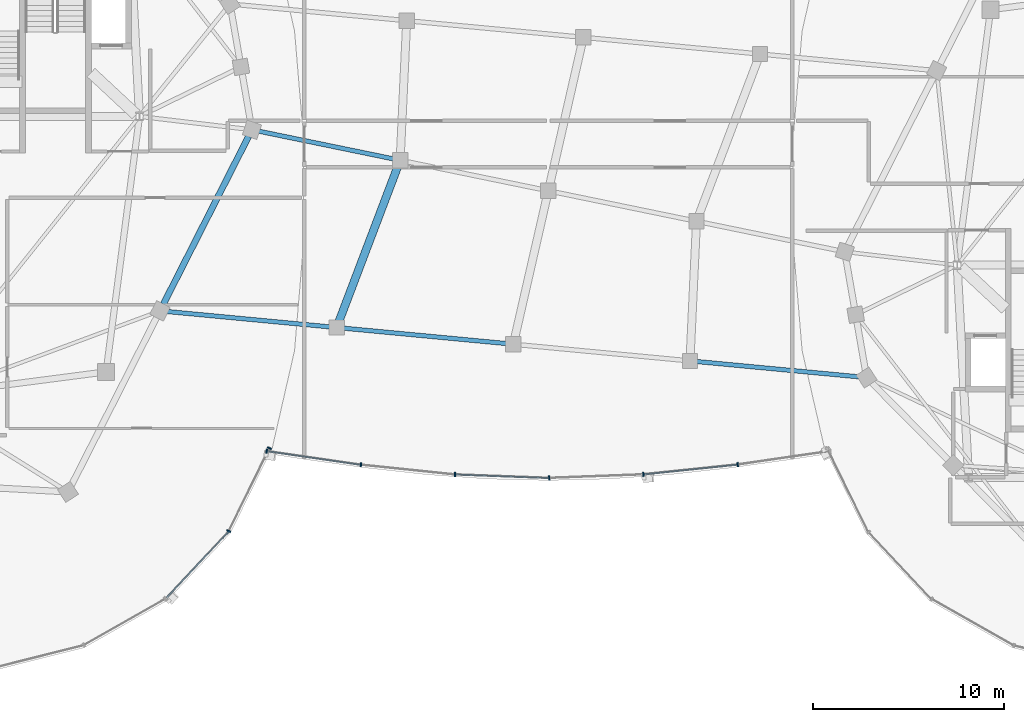
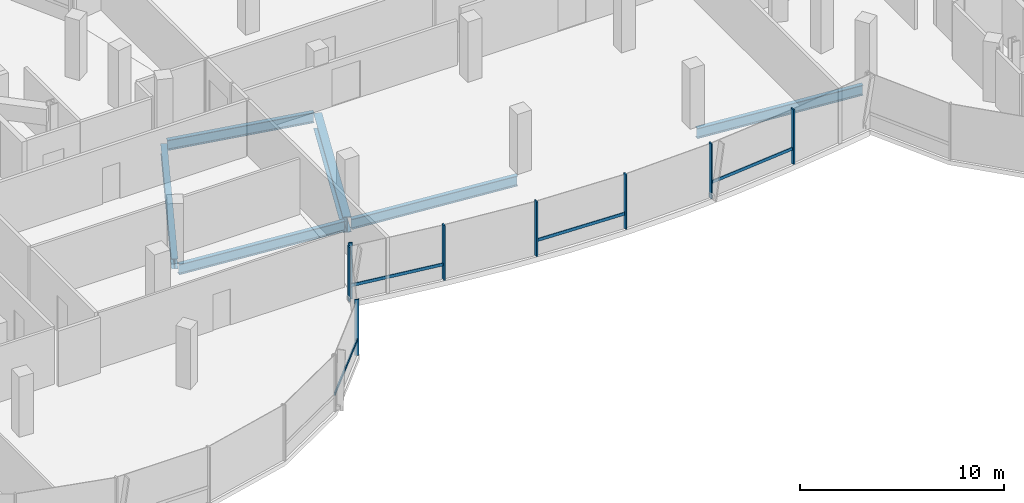
# One storey, part 4 of 25: 12 members, 6 beams, 2 elements without a shape of their own.
"""IFC4 building model written with IfcOpenShell, lengths in metres."""

from ifc_helpers import new_model, si_unit, direction, frame, origin, origin_2d, place, context, subcontext, project, spatial, rectangle, i_section, extrude, material, material_profile, profile_set, type_object, element, aggregate, save


model = new_model("IFC4")

# Units and contexts
model_context = context("Model", 3, precision=1e-05, world=origin(), true_north=direction((0.0, 1.0)))
body_context = subcontext(model_context, "Body", "Model", "MODEL_VIEW")
ifc_project = project(units=[si_unit("LENGTHUNIT", "METRE"), si_unit("AREAUNIT", "SQUARE_METRE"), si_unit("VOLUMEUNIT", "CUBIC_METRE"), si_unit("PLANEANGLEUNIT", "RADIAN"), si_unit("MASSUNIT", "GRAM", prefix="KILO"), si_unit("THERMODYNAMICTEMPERATUREUNIT", "KELVIN"), si_unit("POWERUNIT", "WATT")], contexts=[model_context])

# Site, building, storey
site_placement = place(None, origin())
site = spatial("IfcSite", under=ifc_project, at=site_placement, CompositionType="ELEMENT")
building_placement = place(site_placement, origin())
building = spatial("IfcBuilding", under=site, at=building_placement, Name="Cundina Bronze Exchange", CompositionType="ELEMENT")
storey_placement = place(building_placement, frame((0.0, 0.0, 250.39990234375)))
storey = spatial("IfcBuildingStorey", under=building, at=storey_placement, Name="L66", CompositionType="ELEMENT", Elevation=250.39990234375)

# Beams
ifc_material_1 = material(Name="Steel ASTM A992 Grade 50", Category="steel")
ifc_material_profile_1 = material_profile(ifc_material_1, i_section(OverallWidth=0.22998046875, OverallDepth=0.616943359375, WebThickness=0.01318359375, FlangeThickness=0.022216796875, FilletRadius=0.013916015625, at=origin_2d()), Name="W24X94", Category="steel")
ifc_profile_set_1 = profile_set([ifc_material_profile_1], Name="Steel ASTM A992 Grade 50")
beam_type_1 = type_object("IfcBeamType", Name="BM-FLR-W24B", PredefinedType="BEAM", material=ifc_profile_set_1)
for number, where, z_axis, x_axis, name in (
    (1, (-20.19580078125, -6.31689453125, -0.62841796875), (0.995572136276, -0.094000646124, 0.0), (0.094000646124, 0.995572136276, 0.0), "L66 Sky-Gate Longitudinal Girder Y1-P1"),
    (2, (-10.927001953125, -7.19189453125, -0.62841796875), (0.995572136276, -0.094000646124, 0.0), (0.094000646124, 0.995572136276, 0.0), "L66 Sky-Gate Longitudinal Girder Y1-P2"),
):
    element("IfcBeam", number, at=place(storey_placement, frame(where, z_axis=z_axis, x_axis=x_axis)), inside=storey, type_object=beam_type_1, Name=name, PredefinedType="BEAM", context=body_context, shape_type="SweptSolid", body=[
        extrude(i_section(OverallWidth=0.22998046875, OverallDepth=0.616943359375, WebThickness=0.01318359375, FlangeThickness=0.022216796875, FilletRadius=0.013916015625, at=origin_2d()), origin(), (0.0, 0.0, 1.0), 8.949951171875),
    ])
beam_1_placement = place(storey_placement, frame((7.610595703125, -8.94189453125, -0.62841796875), z_axis=(0.995571895232, -0.094003199007, 0.0), x_axis=(0.094003199007, 0.995571895232, 0.0)))
element("IfcBeam", 3, at=beam_1_placement, inside=storey, type_object=beam_type_1, Name="L66 Sky-Gate Longitudinal Girder Y1-P4", PredefinedType="BEAM", context=body_context, shape_type="SweptSolid", body=[
    extrude(i_section(OverallWidth=0.22998046875, OverallDepth=0.616943359375, WebThickness=0.01318359375, FlangeThickness=0.022216796875, FilletRadius=0.013916015625, at=origin_2d()), origin(), (0.0, 0.0, 1.0), 8.94970703125),
])
beam_2_placement = place(storey_placement, frame((-15.373779296875, 3.163818359375, -0.62841796875), z_axis=(0.979471264571, -0.20158383338, 0.0), x_axis=(0.20158383338, 0.979471264571, 0.0)))
element("IfcBeam", 4, at=beam_2_placement, inside=storey, type_object=beam_type_1, Name="L66 Sky-Gate Longitudinal Girder Y2-P1", PredefinedType="BEAM", context=body_context, shape_type="SweptSolid", body=[
    extrude(i_section(OverallWidth=0.22998046875, OverallDepth=0.616943359375, WebThickness=0.01318359375, FlangeThickness=0.022216796875, FilletRadius=0.013916015625, at=origin_2d()), origin(), (0.0, 0.0, 1.0), 7.577880859375),
])
ifc_material_profile_2 = material_profile(ifc_material_1, i_section(OverallWidth=0.324951171875, OverallDepth=0.615966796875, WebThickness=0.013916015625, FlangeThickness=0.021484375, FilletRadius=0.01611328125, at=origin_2d()), Name="W24X117", Category="steel")
ifc_profile_set_2 = profile_set([ifc_material_profile_2], Name="Steel ASTM A992 Grade 50")
beam_type_2 = type_object("IfcBeamType", Name="BM-RING-W24", PredefinedType="USERDEFINED", material=ifc_profile_set_2)
beam_3_placement = place(storey_placement, frame((-20.19921875, -5.9541015625, -0.56787109375), z_axis=(0.452839263805, 0.891592171991, 0.0), x_axis=(-0.891592171991, 0.452839263805, 0.0)))
element("IfcBeam", 5, at=beam_3_placement, inside=storey, type_object=beam_type_2, Name="L66 W Perimeter Ring Girder 13", ObjectType="GIRDER", PredefinedType="USERDEFINED", context=body_context, shape_type="SweptSolid", body=[
    extrude(i_section(OverallWidth=0.324951171875, OverallDepth=0.615966796875, WebThickness=0.013916015625, FlangeThickness=0.021484375, FilletRadius=0.01611328125, at=origin_2d()), origin(), (0.0, 0.0, 1.0), 9.879150390625),
])
ifc_material_profile_3 = material_profile(ifc_material_1, i_section(OverallWidth=0.41796875, OverallDepth=0.927001953125, WebThickness=0.019287109375, FlangeThickness=0.031982421875, FilletRadius=0.02392578125, at=origin_2d()), Name="W36X231", Category="steel")
ifc_profile_set_3 = profile_set([ifc_material_profile_3], Name="Steel ASTM A992 Grade 50")
beam_type_3 = type_object("IfcBeamType", Name="BM-WRN-W36B", PredefinedType="USERDEFINED", material=ifc_profile_set_3)
beam_4_placement = place(storey_placement, frame((-11.042236328125, -7.006591796875, -0.783447265625), z_axis=(0.354911890514, 0.934899753969, 0.0), x_axis=(-0.934899753969, 0.354911890514, 0.0)))
element("IfcBeam", 6, at=beam_4_placement, inside=storey, type_object=beam_type_3, Name="L66 Sky-Gate Transverse Girder X1-S", ObjectType="GIRDER", PredefinedType="USERDEFINED", context=body_context, shape_type="SweptSolid", body=[
    extrude(i_section(OverallWidth=0.41796875, OverallDepth=0.927001953125, WebThickness=0.019287109375, FlangeThickness=0.031982421875, FilletRadius=0.02392578125, at=origin_2d()), origin(), (0.0, 0.0, 1.0), 9.02587890625),
])

# Curtain wall, members
ifc_material_2 = material(Name="Anodised Bronze Aluminium 6063-T6", Category="aluminium")
curtain_wall_type = type_object("IfcCurtainWallType", Name="CWS-SKG-BRG", PredefinedType="NOTDEFINED", material=ifc_material_2)
curtain_wall_1_placement = place(storey_placement, origin())
curtain_wall_1 = element("IfcCurtainWall", 7, at=curtain_wall_1_placement, inside=storey, type_object=curtain_wall_type, Name="L66 CW-06 Curtain Wall Run CWR-L66-W4", PredefinedType="NOTDEFINED")
ifc_material_profile_4 = material_profile(ifc_material_2, rectangle(XDim=0.074951171875, YDim=0.219970703125, at=origin_2d()), Name="AL75X220", Category="aluminium")
ifc_profile_set_4 = profile_set([ifc_material_profile_4], Name="Anodised Bronze Aluminium 6063-T6")
member_type_1 = type_object("IfcMemberType", Name="CWM-MUL-220", PredefinedType="MULLION", material=ifc_profile_set_4)
member_1_placement = place(storey_placement, frame((-16.7666015625, -17.856689453125, 0.0), z_axis=(0.0, 0.0, 1.0), x_axis=(0.440566004113, 0.897720221461, 0.0)))
member_1 = element("IfcMember", 8, at=member_1_placement, type_object=member_type_1, Name="CW-06 Mullion 2", PredefinedType="MULLION", context=body_context, shape_type="SweptSolid", body=[
    extrude(rectangle(XDim=0.074951171875, YDim=0.219970703125, at=origin_2d()), origin(), (0.0, 0.0, 1.0), 3.340087890625),
])
member_2_placement = place(storey_placement, frame((-14.630859375, -13.50390625, 0.0), z_axis=(0.0, 0.0, 1.0), x_axis=(0.440566004113, 0.897720221461, 0.0)))
member_2 = element("IfcMember", 9, at=member_2_placement, type_object=member_type_1, Name="CW-06 End Mullion", PredefinedType="MULLION", context=body_context, shape_type="SweptSolid", body=[
    extrude(rectangle(XDim=0.074951171875, YDim=0.219970703125, at=origin_2d()), origin(), (0.0, 0.0, 1.0), 3.340087890625),
])

curtain_wall_2_placement = place(storey_placement, origin())
curtain_wall_2 = element("IfcCurtainWall", 10, at=curtain_wall_2_placement, inside=storey, type_object=curtain_wall_type, Name="L66 CW-06 Curtain Wall Run CWR-L66-BRGS", PredefinedType="NOTDEFINED")
member_3_placement = place(storey_placement, frame((-14.779296875, -13.658935546875, 0.0), z_axis=(0.0, 0.0, 1.0), x_axis=(0.989525789069, -0.144356201001, 0.0)))
member_3 = element("IfcMember", 11, at=member_3_placement, type_object=member_type_1, Name="CW-06 Mullion 1", PredefinedType="MULLION", context=body_context, shape_type="SweptSolid", body=[
    extrude(rectangle(XDim=0.074951171875, YDim=0.219970703125, at=origin_2d()), origin(), (0.0, 0.0, 1.0), 3.280029296875),
])
member_4_placement = place(storey_placement, frame((-9.83447265625, -14.378173828125, 0.0), z_axis=(0.0, 0.0, 1.0), x_axis=(0.994666875153, -0.103139747302, 0.0)))
member_4 = element("IfcMember", 12, at=member_4_placement, type_object=member_type_1, Name="CW-06 Mullion 2", PredefinedType="MULLION", context=body_context, shape_type="SweptSolid", body=[
    extrude(rectangle(XDim=0.074951171875, YDim=0.219970703125, at=origin_2d()), origin(), (0.0, 0.0, 1.0), 3.280029296875),
])
member_5_placement = place(storey_placement, frame((-4.892578125, -14.88720703125, 0.0), z_axis=(0.0, 0.0, 1.0), x_axis=(0.999302568116, -0.037341362551, 0.0)))
member_5 = element("IfcMember", 13, at=member_5_placement, type_object=member_type_1, Name="CW-06 Mullion 3", PredefinedType="MULLION", context=body_context, shape_type="SweptSolid", body=[
    extrude(rectangle(XDim=0.074951171875, YDim=0.219970703125, at=origin_2d()), origin(), (0.0, 0.0, 1.0), 3.280029296875),
])
member_6_placement = place(storey_placement, frame((0.047607421875, -15.068115234375, 0.0), z_axis=(0.0, 0.0, 1.0), x_axis=(0.999302568116, 0.037341362551, 0.0)))
member_6 = element("IfcMember", 14, at=member_6_placement, type_object=member_type_1, Name="CW-06 Mullion 4", PredefinedType="MULLION", context=body_context, shape_type="SweptSolid", body=[
    extrude(rectangle(XDim=0.074951171875, YDim=0.219970703125, at=origin_2d()), origin(), (0.0, 0.0, 1.0), 3.280029296875),
])
member_7_placement = place(storey_placement, frame((4.98876953125, -14.88037109375, 0.0), z_axis=(0.0, 0.0, 1.0), x_axis=(0.994666875153, 0.103139747302, 0.0)))
member_7 = element("IfcMember", 15, at=member_7_placement, type_object=member_type_1, Name="CW-06 Mullion 5", PredefinedType="MULLION", context=body_context, shape_type="SweptSolid", body=[
    extrude(rectangle(XDim=0.074951171875, YDim=0.219970703125, at=origin_2d()), origin(), (0.0, 0.0, 1.0), 3.280029296875),
])
member_8_placement = place(storey_placement, frame((9.93310546875, -14.36572265625, 0.0), z_axis=(0.0, 0.0, 1.0), x_axis=(0.989525789069, 0.144356201001, 0.0)))
member_8 = element("IfcMember", 16, at=member_8_placement, type_object=member_type_1, Name="CW-06 Mullion 6", PredefinedType="MULLION", context=body_context, shape_type="SweptSolid", body=[
    extrude(rectangle(XDim=0.074951171875, YDim=0.219970703125, at=origin_2d()), origin(), (0.0, 0.0, 1.0), 3.280029296875),
])

# Member
ifc_material_profile_5 = material_profile(ifc_material_2, rectangle(XDim=0.070068359375, YDim=0.179931640625, at=origin_2d()), Name="AL70X180", Category="aluminium")
ifc_profile_set_5 = profile_set([ifc_material_profile_5], Name="Anodised Bronze Aluminium 6063-T6")
member_type_2 = type_object("IfcMemberType", Name="CWM-TRN-180", PredefinedType="USERDEFINED", material=ifc_profile_set_5)
member_9_placement = place(storey_placement, frame((-20.031494140625, -21.349609375, 0.920166015625), z_axis=(0.684328474899, 0.729173873944, 0.0), x_axis=(-0.729173873944, 0.684328474899, 0.0)))
member_9 = element("IfcMember", 17, at=member_9_placement, type_object=member_type_2, Name="CW-06 Spandrel Transom 1", ObjectType="TRANSOM", PredefinedType="USERDEFINED", context=body_context, shape_type="SweptSolid", body=[
    extrude(rectangle(XDim=0.070068359375, YDim=0.179931640625, at=origin_2d()), origin(), (0.0, 0.0, 1.0), 4.758056640625),
])

aggregate(curtain_wall_1, [member_9, member_1, member_2])

member_10_placement = place(storey_placement, frame((-14.738525390625, -13.664794921875, 0.91845703125), z_axis=(0.989531497997, -0.144317062302, 0.0), x_axis=(0.144317062302, 0.989531497997, 0.0)))
member_10 = element("IfcMember", 18, at=member_10_placement, type_object=member_type_2, Name="CW-06 Spandrel Transom 1", ObjectType="TRANSOM", PredefinedType="USERDEFINED", context=body_context, shape_type="SweptSolid", body=[
    extrude(rectangle(XDim=0.070068359375, YDim=0.179931640625, at=origin_2d()), origin(), (0.0, 0.0, 1.0), 4.8974609375),
])

member_11_placement = place(storey_placement, frame((-4.8515625, -14.888671875, 0.91845703125), z_axis=(0.999303683555, -0.037311500026, 0.0), x_axis=(0.037311500026, 0.999303683555, 0.0)))
member_11 = element("IfcMember", 19, at=member_11_placement, type_object=member_type_2, Name="CW-06 Spandrel Transom 3", ObjectType="TRANSOM", PredefinedType="USERDEFINED", context=body_context, shape_type="SweptSolid", body=[
    extrude(rectangle(XDim=0.070068359375, YDim=0.179931640625, at=origin_2d()), origin(), (0.0, 0.0, 1.0), 4.8486328125),
])

member_12_placement = place(storey_placement, frame((5.02978515625, -14.8759765625, 0.91845703125), z_axis=(0.994672497027, 0.103085516243, 0.0), x_axis=(-0.103085516243, 0.994672497027, 0.0)))
member_12 = element("IfcMember", 20, at=member_12_placement, type_object=member_type_2, Name="CW-06 Spandrel Transom 5", ObjectType="TRANSOM", PredefinedType="USERDEFINED", context=body_context, shape_type="SweptSolid", body=[
    extrude(rectangle(XDim=0.070068359375, YDim=0.179931640625, at=origin_2d()), origin(), (0.0, 0.0, 1.0), 4.87158203125),
])

aggregate(curtain_wall_2, [member_3, member_10, member_4, member_5, member_11, member_6, member_7, member_12, member_8])

save(model, "model.ifc")
